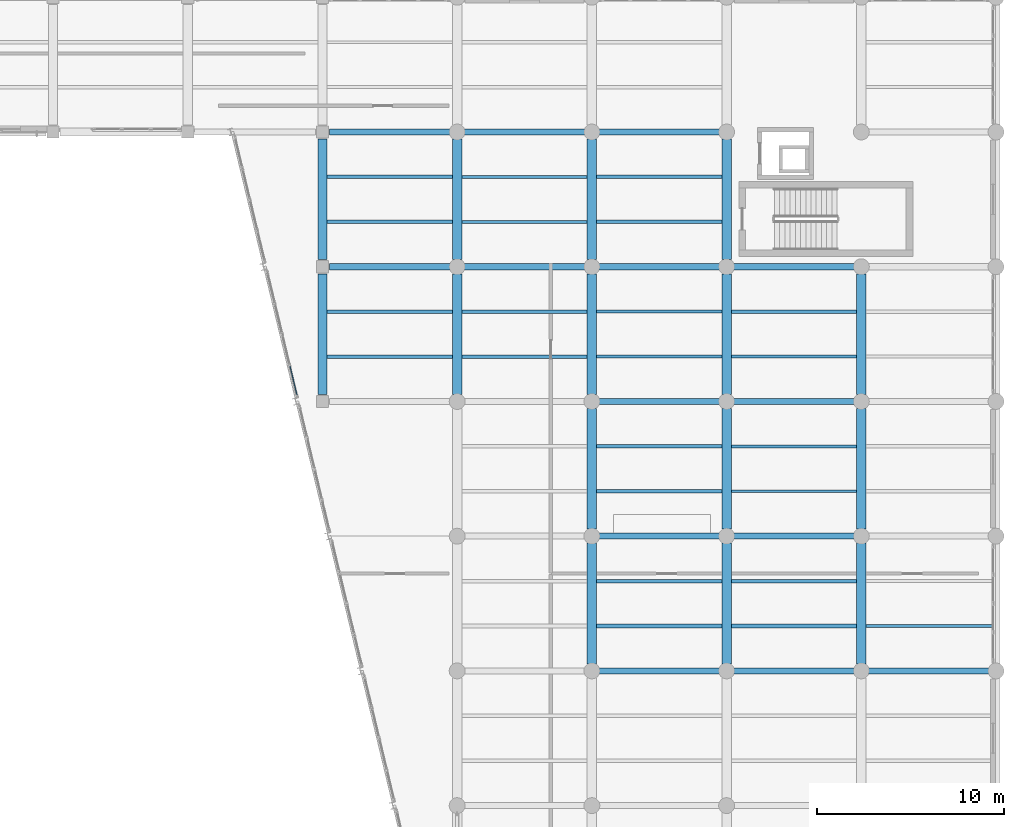
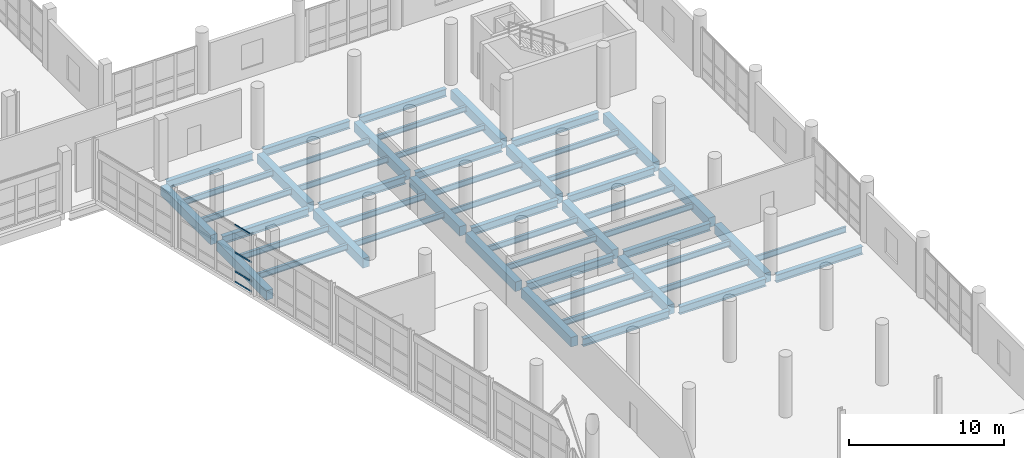
# One storey, part 69 of 127: 52 beams, 4 members, 1 element without a shape of its own.
"""IFC4 building model written with IfcOpenShell, lengths in metres."""

from ifc_helpers import new_model, si_unit, direction, frame, origin, origin_2d, place, context, subcontext, project, spatial, rectangle, hollow_rectangle, i_section, extrude, material, material_profile, profile_set, type_object, element, aggregate, save


model = new_model("IFC4")

# Units and contexts
model_context = context("Model", 3, precision=1e-05, world=origin(), true_north=direction((0.0, 1.0)))
body_context = subcontext(model_context, "Body", "Model", "MODEL_VIEW")
ifc_project = project(units=[si_unit("LENGTHUNIT", "METRE"), si_unit("AREAUNIT", "SQUARE_METRE"), si_unit("VOLUMEUNIT", "CUBIC_METRE"), si_unit("PLANEANGLEUNIT", "RADIAN"), si_unit("MASSUNIT", "GRAM", prefix="KILO")], contexts=[model_context])

# Site, building, storey
site_placement = place(None, origin())
site = spatial("IfcSite", under=ifc_project, at=site_placement, CompositionType="ELEMENT")
building_placement = place(site_placement, origin())
building = spatial("IfcBuilding", under=site, at=building_placement, Name="Kalmorath City Hall", CompositionType="ELEMENT")
storey_placement = place(building_placement, frame((0.0, 0.0, 5.39990234375)))
storey = spatial("IfcBuildingStorey", under=building, at=storey_placement, Name="L01", CompositionType="ELEMENT", Elevation=5.39990234375)

# Beams
ifc_material_1 = material(Name="Concrete C40/50", Category="concrete")
ifc_material_profile_1 = material_profile(ifc_material_1, rectangle(XDim=0.5, YDim=0.75, at=origin_2d()), Name="RC-BM-500X750")
ifc_profile_set_1 = profile_set([ifc_material_profile_1], Name="Concrete C40/50")
beam_type_1 = type_object("IfcBeamType", Name="Concrete floor beam 500x750", PredefinedType="BEAM", material=ifc_profile_set_1)
beam_1_placement = place(storey_placement, frame((129.60009765625, 79.574951171875, -0.698974609375), z_axis=(0.0, 1.0, 0.0), x_axis=(-1.0, 0.0, 0.0)))
element("IfcBeam", 1, at=beam_1_placement, inside=storey, type_object=beam_type_1, Name="L01 girder CB3 Y19/12-13", PredefinedType="BEAM", context=body_context, shape_type="SweptSolid", body=[
    extrude(rectangle(XDim=0.5, YDim=0.75, at=origin_2d()), origin(), (0.0, 0.0, 1.0), 6.449951171875),
])
beam_2_placement = place(storey_placement, frame((129.60009765625, 86.77490234375, -0.698974609375), z_axis=(0.0, 1.0, 0.0), x_axis=(-1.0, 0.0, 0.0)))
element("IfcBeam", 2, at=beam_2_placement, inside=storey, type_object=beam_type_1, Name="L01 girder CB3 Y19/13-14", PredefinedType="BEAM", context=body_context, shape_type="SweptSolid", body=[
    extrude(rectangle(XDim=0.5, YDim=0.75, at=origin_2d()), origin(), (0.0, 0.0, 1.0), 6.4501953125),
])
beam_3_placement = place(storey_placement, frame((136.800048828125, 79.574951171875, -0.698974609375), z_axis=(0.0, 1.0, 0.0), x_axis=(-1.0, 0.0, 0.0)))
element("IfcBeam", 3, at=beam_3_placement, inside=storey, type_object=beam_type_1, Name="L01 girder CB3 Y20/12-13", PredefinedType="BEAM", context=body_context, shape_type="SweptSolid", body=[
    extrude(rectangle(XDim=0.5, YDim=0.75, at=origin_2d()), origin(), (0.0, 0.0, 1.0), 6.449951171875),
])
beam_4_placement = place(storey_placement, frame((136.800048828125, 86.77490234375, -0.698974609375), z_axis=(0.0, 1.0, 0.0), x_axis=(-1.0, 0.0, 0.0)))
element("IfcBeam", 4, at=beam_4_placement, inside=storey, type_object=beam_type_1, Name="L01 girder CB3 Y20/13-14", PredefinedType="BEAM", context=body_context, shape_type="SweptSolid", body=[
    extrude(rectangle(XDim=0.5, YDim=0.75, at=origin_2d()), origin(), (0.0, 0.0, 1.0), 6.4501953125),
])
for number, where, z_axis, x_axis, name in (
    (5, (144.0, 65.175048828125, -0.698974609375), (0.0, 1.0, 0.0), (-1.0, 0.0, 0.0), "L01 girder CB3 Y21/10-11"),
    (6, (144.0, 72.375, -0.698974609375), (0.0, 1.0, 0.0), (-1.0, 0.0, 0.0), "L01 girder CB3 Y21/11-12"),
    (7, (144.0, 79.574951171875, -0.698974609375), (0.0, 1.0, 0.0), (-1.0, 0.0, 0.0), "L01 girder CB3 Y21/12-13"),
):
    element("IfcBeam", number, at=place(storey_placement, frame(where, z_axis=z_axis, x_axis=x_axis)), inside=storey, type_object=beam_type_1, Name=name, PredefinedType="BEAM", context=body_context, shape_type="SweptSolid", body=[
        extrude(rectangle(XDim=0.5, YDim=0.75, at=origin_2d()), origin(), (0.0, 0.0, 1.0), 6.449951171875),
    ])
beam_5_placement = place(storey_placement, frame((144.0, 86.77490234375, -0.698974609375), z_axis=(0.0, 1.0, 0.0), x_axis=(-1.0, 0.0, 0.0)))
element("IfcBeam", 8, at=beam_5_placement, inside=storey, type_object=beam_type_1, Name="L01 girder CB3 Y21/13-14", PredefinedType="BEAM", context=body_context, shape_type="SweptSolid", body=[
    extrude(rectangle(XDim=0.5, YDim=0.75, at=origin_2d()), origin(), (0.0, 0.0, 1.0), 6.4501953125),
])
for number, where, z_axis, x_axis, name in (
    (9, (151.199951171875, 65.175048828125, -0.698974609375), (0.0, 1.0, 0.0), (-1.0, 0.0, 0.0), "L01 girder CB3 Y22/10-11"),
    (10, (151.199951171875, 72.375, -0.698974609375), (0.0, 1.0, 0.0), (-1.0, 0.0, 0.0), "L01 girder CB3 Y22/11-12"),
    (11, (151.199951171875, 79.574951171875, -0.698974609375), (0.0, 1.0, 0.0), (-1.0, 0.0, 0.0), "L01 girder CB3 Y22/12-13"),
):
    element("IfcBeam", number, at=place(storey_placement, frame(where, z_axis=z_axis, x_axis=x_axis)), inside=storey, type_object=beam_type_1, Name=name, PredefinedType="BEAM", context=body_context, shape_type="SweptSolid", body=[
        extrude(rectangle(XDim=0.5, YDim=0.75, at=origin_2d()), origin(), (0.0, 0.0, 1.0), 6.449951171875),
    ])
beam_6_placement = place(storey_placement, frame((151.199951171875, 86.77490234375, -0.698974609375), z_axis=(0.0, 1.0, 0.0), x_axis=(-1.0, 0.0, 0.0)))
element("IfcBeam", 12, at=beam_6_placement, inside=storey, type_object=beam_type_1, Name="L01 girder CB3 Y22/13-14", PredefinedType="BEAM", context=body_context, shape_type="SweptSolid", body=[
    extrude(rectangle(XDim=0.5, YDim=0.75, at=origin_2d()), origin(), (0.0, 0.0, 1.0), 6.4501953125),
])
for number, where, z_axis, x_axis, name in (
    (13, (158.39990234375, 65.175048828125, -0.698974609375), (0.0, 1.0, 0.0), (-1.0, 0.0, 0.0), "L01 girder CB3 Y23/10-11"),
    (14, (158.39990234375, 72.375, -0.698974609375), (0.0, 1.0, 0.0), (-1.0, 0.0, 0.0), "L01 girder CB3 Y23/11-12"),
    (15, (158.39990234375, 79.574951171875, -0.698974609375), (0.0, 1.0, 0.0), (-1.0, 0.0, 0.0), "L01 girder CB3 Y23/12-13"),
):
    element("IfcBeam", number, at=place(storey_placement, frame(where, z_axis=z_axis, x_axis=x_axis)), inside=storey, type_object=beam_type_1, Name=name, PredefinedType="BEAM", context=body_context, shape_type="SweptSolid", body=[
        extrude(rectangle(XDim=0.5, YDim=0.75, at=origin_2d()), origin(), (0.0, 0.0, 1.0), 6.449951171875),
    ])

# Curtain wall, members
ifc_material_2 = material(Name="Anodised aluminium and laminated glass", Category="aluminium")
curtain_wall_type = type_object("IfcCurtainWallType", Name="Unitised hurricane curtain wall 6849x4520 M1650", PredefinedType="NOTDEFINED", material=ifc_material_2)
curtain_wall_placement = place(storey_placement, origin())
curtain_wall = element("IfcCurtainWall", 16, at=curtain_wall_placement, inside=storey, type_object=curtain_wall_type, Name="L01 curtain wall CW-68X45M16 #99", PredefinedType="NOTDEFINED")
ifc_material_3 = material(Name="Anodised aluminium framing", Category="aluminium")
ifc_material_profile_2 = material_profile(ifc_material_3, hollow_rectangle(XDim=0.06005859375, YDim=0.1298828125, WallThickness=0.00341796875, InnerFilletRadius=0.00341796875, OuterFilletRadius=0.007080078125, at=origin_2d()), Name="ALU-TRN-130X60X3.5")
ifc_profile_set_2 = profile_set([ifc_material_profile_2], Name="Anodised aluminium framing")
member_type = type_object("IfcMemberType", Name="Curtain-wall courtyard transom 130x60", PredefinedType="USERDEFINED", material=ifc_profile_set_2)
member_1_placement = place(storey_placement, frame((128.239013671875, 79.54296875, 0.030029296875), z_axis=(-0.233332550128, 0.972396997656, 0.0), x_axis=(-0.972396997656, -0.233332550128, 0.0)))
member_1 = element("IfcMember", 17, at=member_1_placement, type_object=member_type, Name="CW-68X45M16 transom 1.1", ObjectType="TRANSOM", PredefinedType="USERDEFINED", context=body_context, shape_type="SweptSolid", body=[
    extrude(hollow_rectangle(XDim=0.06005859375, YDim=0.1298828125, WallThickness=0.00341796875, InnerFilletRadius=0.00341796875, OuterFilletRadius=0.007080078125, at=origin_2d()), origin(), (0.0, 0.0, 1.0), 1.599853515625),
])
member_2_placement = place(storey_placement, frame((128.239013671875, 79.54296875, 0.85009765625), z_axis=(-0.233332550128, 0.972396997656, 0.0), x_axis=(-0.972396997656, -0.233332550128, 0.0)))
member_2 = element("IfcMember", 18, at=member_2_placement, type_object=member_type, Name="CW-68X45M16 transom 1.2", ObjectType="TRANSOM", PredefinedType="USERDEFINED", context=body_context, shape_type="SweptSolid", body=[
    extrude(hollow_rectangle(XDim=0.06005859375, YDim=0.1298828125, WallThickness=0.00341796875, InnerFilletRadius=0.00341796875, OuterFilletRadius=0.007080078125, at=origin_2d()), origin(), (0.0, 0.0, 1.0), 1.599853515625),
])
member_3_placement = place(storey_placement, frame((128.239013671875, 79.54296875, 2.35009765625), z_axis=(-0.233332550128, 0.972396997656, 0.0), x_axis=(-0.972396997656, -0.233332550128, 0.0)))
member_3 = element("IfcMember", 19, at=member_3_placement, type_object=member_type, Name="CW-68X45M16 transom 1.3", ObjectType="TRANSOM", PredefinedType="USERDEFINED", context=body_context, shape_type="SweptSolid", body=[
    extrude(hollow_rectangle(XDim=0.06005859375, YDim=0.1298828125, WallThickness=0.00341796875, InnerFilletRadius=0.00341796875, OuterFilletRadius=0.007080078125, at=origin_2d()), origin(), (0.0, 0.0, 1.0), 1.599853515625),
])
member_4_placement = place(storey_placement, frame((128.239013671875, 79.54296875, 4.489990234375), z_axis=(-0.233332550128, 0.972396997656, 0.0), x_axis=(-0.972396997656, -0.233332550128, 0.0)))
member_4 = element("IfcMember", 20, at=member_4_placement, type_object=member_type, Name="CW-68X45M16 transom 1.4", ObjectType="TRANSOM", PredefinedType="USERDEFINED", context=body_context, shape_type="SweptSolid", body=[
    extrude(hollow_rectangle(XDim=0.06005859375, YDim=0.1298828125, WallThickness=0.00341796875, InnerFilletRadius=0.00341796875, OuterFilletRadius=0.007080078125, at=origin_2d()), origin(), (0.0, 0.0, 1.0), 1.599853515625),
])
aggregate(curtain_wall, [member_1, member_2, member_3, member_4])

# Beams
ifc_material_4 = material(Name="Steel ASTM A992 Grade 50", Category="steel")
ifc_material_profile_3 = material_profile(ifc_material_4, i_section(OverallWidth=0.180908203125, OverallDepth=0.4169921875, WebThickness=0.010986328125, FlangeThickness=0.018310546875, FilletRadius=0.012939453125, at=origin_2d()), Name="W16X57")
ifc_profile_set_3 = profile_set([ifc_material_profile_3], Name="Steel ASTM A992 Grade 50")
beam_type_2 = type_object("IfcBeamType", Name="Steel composite joist W16X57", PredefinedType="JOIST", material=ifc_profile_set_3)
for number, where, z_axis, x_axis, name in (
    (21, (144.25, 88.800048828125, -0.532470703125), (1.0, 0.0, 0.0), (0.0, 1.0, 0.0), "L01 joist SJ5 21.13.1"),
    (22, (144.25, 91.199951171875, -0.532470703125), (1.0, 0.0, 0.0), (0.0, 1.0, 0.0), "L01 joist SJ5 21.13.2"),
    (23, (151.449951171875, 81.60009765625, -0.532470703125), (1.0, 0.0, 0.0), (0.0, 1.0, 0.0), "L01 joist SJ5 22.12.1"),
    (24, (151.449951171875, 84.0, -0.532470703125), (1.0, 0.0, 0.0), (0.0, 1.0, 0.0), "L01 joist SJ5 22.12.2"),
):
    element("IfcBeam", number, at=place(storey_placement, frame(where, z_axis=z_axis, x_axis=x_axis)), inside=storey, type_object=beam_type_2, Name=name, PredefinedType="JOIST", context=body_context, shape_type="SweptSolid", body=[
        extrude(i_section(OverallWidth=0.180908203125, OverallDepth=0.4169921875, WebThickness=0.010986328125, FlangeThickness=0.018310546875, FilletRadius=0.012939453125, at=origin_2d()), origin(), (0.0, 0.0, 1.0), 6.699951171875),
    ])
ifc_material_5 = material(Name="Steel ASTM A992 Grade 50", Category="steel")
ifc_material_profile_4 = material_profile(ifc_material_5, i_section(OverallWidth=0.153076171875, OverallDepth=0.455078125, WebThickness=0.008056640625, FlangeThickness=0.01318359375, FilletRadius=0.013916015625, at=origin_2d()), Name="W18X40")
ifc_profile_set_4 = profile_set([ifc_material_profile_4], Name="Steel ASTM A992 Grade 50")
beam_type_3 = type_object("IfcBeamType", Name="Steel composite joist W18X40", PredefinedType="JOIST", material=ifc_profile_set_4)
for number, where, z_axis, x_axis, name in (
    (25, (137.050048828125, 88.800048828125, -0.551513671875), (1.0, 0.0, 0.0), (0.0, 1.0, 0.0), "L01 joist SJ4 20.13.1"),
    (26, (137.050048828125, 91.199951171875, -0.551513671875), (1.0, 0.0, 0.0), (0.0, 1.0, 0.0), "L01 joist SJ4 20.13.2"),
    (27, (144.25, 81.60009765625, -0.551513671875), (1.0, 0.0, 0.0), (0.0, 1.0, 0.0), "L01 joist SJ4 21.12.1"),
    (28, (144.25, 84.0, -0.551513671875), (1.0, 0.0, 0.0), (0.0, 1.0, 0.0), "L01 joist SJ4 21.12.2"),
    (29, (151.449951171875, 74.39990234375, -0.551513671875), (1.0, 0.0, 0.0), (0.0, 1.0, 0.0), "L01 joist SJ4 22.11.1"),
    (30, (151.449951171875, 76.800048828125, -0.551513671875), (1.0, 0.0, 0.0), (0.0, 1.0, 0.0), "L01 joist SJ4 22.11.2"),
):
    element("IfcBeam", number, at=place(storey_placement, frame(where, z_axis=z_axis, x_axis=x_axis)), inside=storey, type_object=beam_type_3, Name=name, PredefinedType="JOIST", context=body_context, shape_type="SweptSolid", body=[
        extrude(i_section(OverallWidth=0.153076171875, OverallDepth=0.455078125, WebThickness=0.008056640625, FlangeThickness=0.01318359375, FilletRadius=0.013916015625, at=origin_2d()), origin(), (0.0, 0.0, 1.0), 6.699951171875),
    ])
beam_7_placement = place(storey_placement, frame((158.64990234375, 67.199951171875, -0.551513671875), z_axis=(1.0, 0.0, 0.0), x_axis=(0.0, 1.0, 0.0)))
element("IfcBeam", 31, at=beam_7_placement, inside=storey, type_object=beam_type_3, Name="L01 joist SJ4 23.10.1", PredefinedType="JOIST", context=body_context, shape_type="SweptSolid", body=[
    extrude(i_section(OverallWidth=0.153076171875, OverallDepth=0.455078125, WebThickness=0.008056640625, FlangeThickness=0.01318359375, FilletRadius=0.013916015625, at=origin_2d()), origin(), (0.0, 0.0, 1.0), 6.75),
])
ifc_material_6 = material(Name="Steel ASTM A992 Grade 50", Category="steel")
ifc_material_profile_5 = material_profile(ifc_material_6, i_section(OverallWidth=0.19091796875, OverallDepth=0.45703125, WebThickness=0.009033203125, FlangeThickness=0.014404296875, FilletRadius=0.013916015625, at=origin_2d()), Name="W18X50")
ifc_profile_set_5 = profile_set([ifc_material_profile_5], Name="Steel ASTM A992 Grade 50")
beam_type_4 = type_object("IfcBeamType", Name="Steel composite joist W18X50", PredefinedType="JOIST", material=ifc_profile_set_5)
for number, where, z_axis, x_axis, name in (
    (32, (129.85009765625, 88.800048828125, -0.552490234375), (1.0, 0.0, 0.0), (0.0, 1.0, 0.0), "L01 joist SJ3 19.13.1"),
    (33, (129.85009765625, 91.199951171875, -0.552490234375), (1.0, 0.0, 0.0), (0.0, 1.0, 0.0), "L01 joist SJ3 19.13.2"),
    (34, (137.050048828125, 81.60009765625, -0.552490234375), (1.0, 0.0, 0.0), (0.0, 1.0, 0.0), "L01 joist SJ3 20.12.1"),
    (35, (137.050048828125, 84.0, -0.552490234375), (1.0, 0.0, 0.0), (0.0, 1.0, 0.0), "L01 joist SJ3 20.12.2"),
    (36, (144.25, 74.39990234375, -0.552490234375), (1.0, 0.0, 0.0), (0.0, 1.0, 0.0), "L01 joist SJ3 21.11.1"),
    (37, (144.25, 76.800048828125, -0.552490234375), (1.0, 0.0, 0.0), (0.0, 1.0, 0.0), "L01 joist SJ3 21.11.2"),
    (38, (151.449951171875, 67.199951171875, -0.552490234375), (1.0, 0.0, 0.0), (0.0, 1.0, 0.0), "L01 joist SJ3 22.10.1"),
    (39, (151.449951171875, 69.60009765625, -0.552490234375), (1.0, 0.0, 0.0), (0.0, 1.0, 0.0), "L01 joist SJ3 22.10.2"),
):
    element("IfcBeam", number, at=place(storey_placement, frame(where, z_axis=z_axis, x_axis=x_axis)), inside=storey, type_object=beam_type_4, Name=name, PredefinedType="JOIST", context=body_context, shape_type="SweptSolid", body=[
        extrude(i_section(OverallWidth=0.19091796875, OverallDepth=0.45703125, WebThickness=0.009033203125, FlangeThickness=0.014404296875, FilletRadius=0.013916015625, at=origin_2d()), origin(), (0.0, 0.0, 1.0), 6.699951171875),
    ])
ifc_material_7 = material(Name="Steel ASTM A992 Grade 50", Category="steel")
ifc_material_profile_6 = material_profile(ifc_material_7, i_section(OverallWidth=0.19091796875, OverallDepth=0.4599609375, WebThickness=0.010009765625, FlangeThickness=0.01611328125, FilletRadius=0.013916015625, at=origin_2d()), Name="W18X55")
ifc_profile_set_6 = profile_set([ifc_material_profile_6], Name="Steel ASTM A992 Grade 50")
beam_type_5 = type_object("IfcBeamType", Name="Steel composite joist W18X55", PredefinedType="JOIST", material=ifc_profile_set_6)
for number, where, z_axis, x_axis, name in (
    (40, (129.85009765625, 81.60009765625, -0.553955078125), (1.0, 0.0, 0.0), (0.0, 1.0, 0.0), "L01 joist SJ2 19.12.1"),
    (41, (129.85009765625, 84.0, -0.553955078125), (1.0, 0.0, 0.0), (0.0, 1.0, 0.0), "L01 joist SJ2 19.12.2"),
    (42, (144.25, 67.199951171875, -0.553955078125), (1.0, 0.0, 0.0), (0.0, 1.0, 0.0), "L01 joist SJ2 21.10.1"),
    (43, (144.25, 69.60009765625, -0.553955078125), (1.0, 0.0, 0.0), (0.0, 1.0, 0.0), "L01 joist SJ2 21.10.2"),
):
    element("IfcBeam", number, at=place(storey_placement, frame(where, z_axis=z_axis, x_axis=x_axis)), inside=storey, type_object=beam_type_5, Name=name, PredefinedType="JOIST", context=body_context, shape_type="SweptSolid", body=[
        extrude(i_section(OverallWidth=0.19091796875, OverallDepth=0.4599609375, WebThickness=0.010009765625, FlangeThickness=0.01611328125, FilletRadius=0.013916015625, at=origin_2d()), origin(), (0.0, 0.0, 1.0), 6.699951171875),
    ])
ifc_material_8 = material(Name="Steel ASTM A992 Grade 50", Category="steel")
ifc_material_profile_7 = material_profile(ifc_material_8, i_section(OverallWidth=0.323974609375, OverallDepth=0.611083984375, WebThickness=0.0126953125, FlangeThickness=0.01904296875, FilletRadius=0.01611328125, at=origin_2d()), Name="W24X104")
ifc_profile_set_7 = profile_set([ifc_material_profile_7], Name="Steel ASTM A992 Grade 50")
beam_type_6 = type_object("IfcBeamType", Name="Steel floor girder W24X104", PredefinedType="BEAM", material=ifc_profile_set_7)
for number, where, z_axis, x_axis, name in (
    (44, (144.375, 64.800048828125, -0.62939453125), (1.0, 0.0, 0.0), (0.0, 1.0, 0.0), "L01 girder SG7 X21-22/10"),
    (45, (151.574951171875, 64.800048828125, -0.62939453125), (1.0, 0.0, 0.0), (0.0, 1.0, 0.0), "L01 girder SG7 X22-23/10"),
):
    element("IfcBeam", number, at=place(storey_placement, frame(where, z_axis=z_axis, x_axis=x_axis)), inside=storey, type_object=beam_type_6, Name=name, PredefinedType="BEAM", context=body_context, shape_type="SweptSolid", body=[
        extrude(i_section(OverallWidth=0.323974609375, OverallDepth=0.611083984375, WebThickness=0.0126953125, FlangeThickness=0.01904296875, FilletRadius=0.01611328125, at=origin_2d()), origin(), (0.0, 0.0, 1.0), 6.449951171875),
    ])
beam_8_placement = place(storey_placement, frame((158.77490234375, 64.800048828125, -0.62939453125), z_axis=(1.0, 0.0, 0.0), x_axis=(0.0, 1.0, 0.0)))
element("IfcBeam", 46, at=beam_8_placement, inside=storey, type_object=beam_type_6, Name="L01 girder SG7 X23-24/10", PredefinedType="BEAM", context=body_context, shape_type="SweptSolid", body=[
    extrude(i_section(OverallWidth=0.323974609375, OverallDepth=0.611083984375, WebThickness=0.0126953125, FlangeThickness=0.01904296875, FilletRadius=0.01611328125, at=origin_2d()), origin(), (0.0, 0.0, 1.0), 6.4501953125),
])
for number, where, z_axis, x_axis, name in (
    (47, (144.375, 72.0, -0.62939453125), (1.0, 0.0, 0.0), (0.0, 1.0, 0.0), "L01 girder SG7 X21-22/11"),
    (48, (151.574951171875, 72.0, -0.62939453125), (1.0, 0.0, 0.0), (0.0, 1.0, 0.0), "L01 girder SG7 X22-23/11"),
    (49, (144.375, 79.199951171875, -0.62939453125), (1.0, 0.0, 0.0), (0.0, 1.0, 0.0), "L01 girder SG7 X21-22/12"),
    (50, (151.574951171875, 79.199951171875, -0.62939453125), (1.0, 0.0, 0.0), (0.0, 1.0, 0.0), "L01 girder SG7 X22-23/12"),
    (51, (129.97509765625, 86.39990234375, -0.62939453125), (1.0, 0.0, 0.0), (0.0, 1.0, 0.0), "L01 girder SG7 X19-20/13"),
    (52, (137.175048828125, 86.39990234375, -0.62939453125), (1.0, 0.0, 0.0), (0.0, 1.0, 0.0), "L01 girder SG7 X20-21/13"),
    (53, (144.375, 86.39990234375, -0.62939453125), (1.0, 0.0, 0.0), (0.0, 1.0, 0.0), "L01 girder SG7 X21-22/13"),
    (54, (151.574951171875, 86.39990234375, -0.62939453125), (1.0, 0.0, 0.0), (0.0, 1.0, 0.0), "L01 girder SG7 X22-23/13"),
    (55, (129.97509765625, 93.60009765625, -0.62939453125), (1.0, 0.0, 0.0), (0.0, 1.0, 0.0), "L01 girder SG7 X19-20/14"),
    (56, (137.175048828125, 93.60009765625, -0.62939453125), (1.0, 0.0, 0.0), (0.0, 1.0, 0.0), "L01 girder SG7 X20-21/14"),
    (57, (144.375, 93.60009765625, -0.62939453125), (1.0, 0.0, 0.0), (0.0, 1.0, 0.0), "L01 girder SG7 X21-22/14"),
):
    element("IfcBeam", number, at=place(storey_placement, frame(where, z_axis=z_axis, x_axis=x_axis)), inside=storey, type_object=beam_type_6, Name=name, PredefinedType="BEAM", context=body_context, shape_type="SweptSolid", body=[
        extrude(i_section(OverallWidth=0.323974609375, OverallDepth=0.611083984375, WebThickness=0.0126953125, FlangeThickness=0.01904296875, FilletRadius=0.01611328125, at=origin_2d()), origin(), (0.0, 0.0, 1.0), 6.449951171875),
    ])

save(model, "model.ifc")
